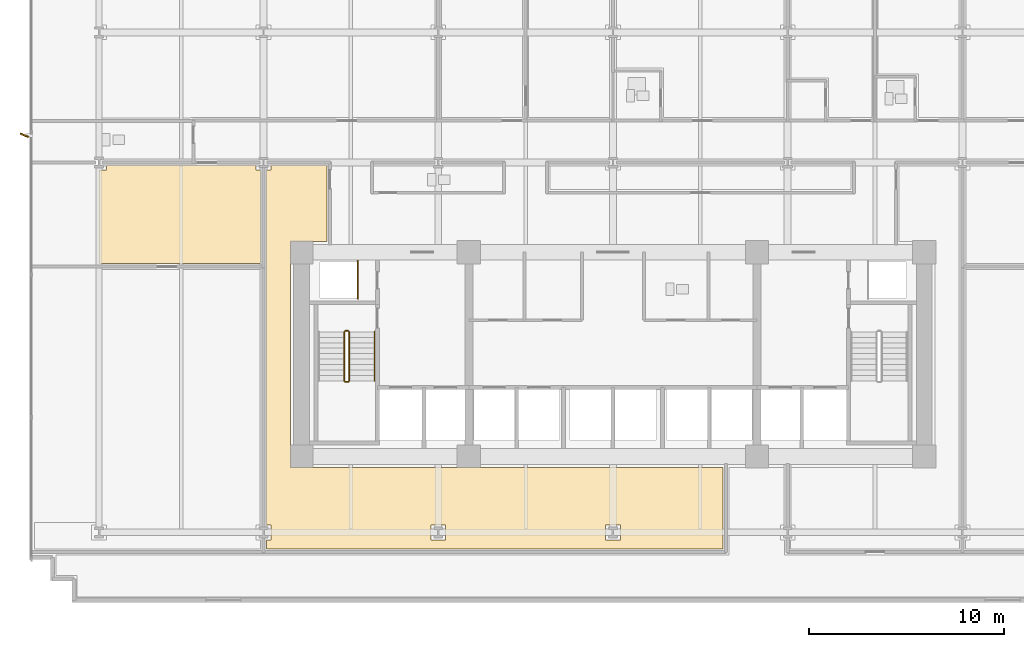
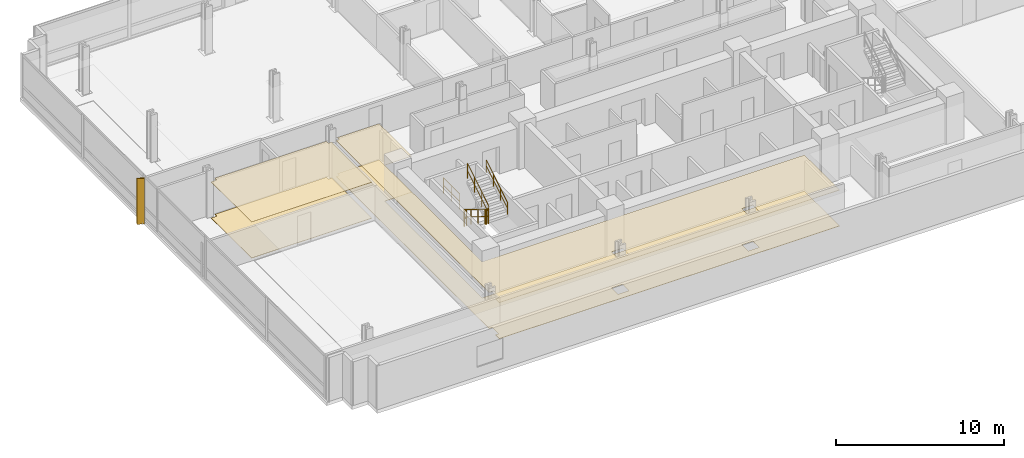
# One storey, part 13 of 17: 6 railings, 4 coverings, 1 shading device.
"""IFC4 building model written with IfcOpenShell, lengths in metres."""

from ifc_helpers import new_model, si_unit, direction, frame, origin, origin_2d, place, context, subcontext, project, spatial, polyline, rectangle, circle, outline, extrude, material, layer, layer_set, type_object, element, save


model = new_model("IFC4")

# Units and contexts
model_context = context("Model", 3, precision=1e-05, world=origin(), true_north=direction((0.0, 1.0)))
body_context = subcontext(model_context, "Body", "Model", "MODEL_VIEW")
ifc_project = project(units=[si_unit("LENGTHUNIT", "METRE"), si_unit("AREAUNIT", "SQUARE_METRE"), si_unit("VOLUMEUNIT", "CUBIC_METRE"), si_unit("PLANEANGLEUNIT", "RADIAN"), si_unit("MASSUNIT", "GRAM", prefix="KILO")], contexts=[model_context])

# Site, building, storey
site_placement = place(None, origin())
site = spatial("IfcSite", under=ifc_project, at=site_placement, CompositionType="ELEMENT")
building_placement = place(site_placement, origin())
building = spatial("IfcBuilding", under=site, at=building_placement, Name="Solmavex Isthmus Hotel", CompositionType="ELEMENT")
storey_placement = place(building_placement, frame((0.0, 0.0, 40.199951171875)))
storey = spatial("IfcBuildingStorey", under=building, at=storey_placement, Name="L10", CompositionType="ELEMENT", Elevation=40.199951171875)

# Coverings
ifc_material_1 = material(Name="Gypsum plasterboard lining", Category="gypsum")
ifc_layer_1 = layer(ifc_material_1, 0.030029296875)
ifc_layer_set_1 = layer_set([ifc_layer_1], Name="Gypsum plasterboard lining")
covering_type_1 = type_object("IfcCoveringType", Name="COV-CEIL-GYP", PredefinedType="CEILING", material=ifc_layer_set_1)
covering_1_placement = place(storey_placement, frame((0.0, 0.0, 2.6201171875)))
element("IfcCovering", 1, at=covering_1_placement, inside=storey, type_object=covering_type_1, Name="Suspended Acoustic Ceiling L10-FL11", PredefinedType="CEILING", context=body_context, shape_type="SweptSolid", body=[
    extrude(outline(polyline([(-26.02001953125, 1.945068359375), (-26.02001953125, 1.719970703125), (-26.39990234375, 1.719970703125), (-26.39990234375, -3.094970703125), (-18.10693359375, -3.094970703125), (-18.10693359375, 1.719970703125), (-18.33203125, 1.719970703125), (-18.33203125, 1.945068359375), (-26.02001953125, 1.945068359375)])), origin(), (0.0, 0.0, 1.0), 0.030029296875),
])
covering_2_placement = place(storey_placement, frame((0.0, 0.0, 2.6201171875)))
element("IfcCovering", 2, at=covering_2_placement, inside=storey, type_object=covering_type_1, Name="Suspended Acoustic Ceiling L10-FL14", PredefinedType="CEILING", context=body_context, shape_type="SweptSolid", body=[
    extrude(outline(polyline([(-17.797119140625, -16.52001953125), (-17.572021484375, -16.52001953125), (-17.572021484375, -17.280029296875), (-17.797119140625, -17.280029296875), (-17.797119140625, -17.7451171875), (5.64501953125, -17.7451171875), (5.64501953125, -13.554931640625), (-16.554931640625, -13.554931640625), (-16.554931640625, -1.945068359375), (-14.698974609375, -1.945068359375), (-14.698974609375, 1.945068359375), (-17.572021484375, 1.945068359375), (-17.572021484375, 1.719970703125), (-17.797119140625, 1.719970703125), (-17.797119140625, -16.52001953125)]), holes=[polyline([(-0.3798828125, -17.280029296875), (-0.3798828125, -16.52001953125), (0.3798828125, -16.52001953125), (0.3798828125, -17.280029296875), (-0.3798828125, -17.280029296875)]), polyline([(-9.35595703125, -17.280029296875), (-9.35595703125, -16.52001953125), (-8.595947265625, -16.52001953125), (-8.595947265625, -17.280029296875), (-9.35595703125, -17.280029296875)])]), origin(), (0.0, 0.0, 1.0), 0.030029296875),
])
ifc_material_2 = material(Name="Travertine natural stone", Category="masonry")
ifc_layer_2 = layer(ifc_material_2, 0.02490234375)
ifc_layer_set_2 = layer_set([ifc_layer_2], Name="Travertine natural stone")
covering_type_2 = type_object("IfcCoveringType", Name="COV-FLOR-STN", PredefinedType="FLOORING", material=ifc_layer_set_2)
covering_3_placement = place(storey_placement, origin())
element("IfcCovering", 3, at=covering_3_placement, inside=storey, type_object=covering_type_2, Name="Stone and Timber Floor Finish L10-FL11", PredefinedType="FLOORING", context=body_context, shape_type="SweptSolid", body=[
    extrude(outline(polyline([(-26.02001953125, 1.945068359375), (-26.02001953125, 1.719970703125), (-26.39990234375, 1.719970703125), (-26.39990234375, -3.094970703125), (-18.10693359375, -3.094970703125), (-18.10693359375, 1.719970703125), (-18.33203125, 1.719970703125), (-18.33203125, 1.945068359375), (-26.02001953125, 1.945068359375)])), origin(), (0.0, 0.0, 1.0), 0.025146484375),
])
covering_4_placement = place(storey_placement, origin())
element("IfcCovering", 4, at=covering_4_placement, inside=storey, type_object=covering_type_2, Name="Stone and Timber Floor Finish L10-FL14", PredefinedType="FLOORING", context=body_context, shape_type="SweptSolid", body=[
    extrude(outline(polyline([(-17.797119140625, -16.52001953125), (-17.572021484375, -16.52001953125), (-17.572021484375, -17.280029296875), (-17.797119140625, -17.280029296875), (-17.797119140625, -17.7451171875), (5.64501953125, -17.7451171875), (5.64501953125, -13.554931640625), (-16.554931640625, -13.554931640625), (-16.554931640625, -1.945068359375), (-14.698974609375, -1.945068359375), (-14.698974609375, 1.945068359375), (-17.572021484375, 1.945068359375), (-17.572021484375, 1.719970703125), (-17.797119140625, 1.719970703125), (-17.797119140625, -16.52001953125)]), holes=[polyline([(-0.3798828125, -17.280029296875), (-0.3798828125, -16.52001953125), (0.3798828125, -16.52001953125), (0.3798828125, -17.280029296875), (-0.3798828125, -17.280029296875)]), polyline([(-9.35595703125, -17.280029296875), (-9.35595703125, -16.52001953125), (-8.595947265625, -16.52001953125), (-8.595947265625, -17.280029296875), (-9.35595703125, -17.280029296875)])]), origin(), (0.0, 0.0, 1.0), 0.025146484375),
])

# Railings
ifc_material_3 = material(Name="Clear low-E laminated glass", Category="glass")
ifc_layer_3 = layer(ifc_material_3, 0.080078125)
ifc_layer_set_3 = layer_set([ifc_layer_3], Name="Clear low-E laminated glass")
railing_type_1 = type_object("IfcRailingType", Name="RAIL-ATRIUM-1120", PredefinedType="BALUSTRADE", material=ifc_layer_set_3)
railing_1_placement = place(storey_placement, frame((-13.10009765625, -4.89990234375, 0.0)))
element("IfcRailing", 5, at=railing_1_placement, inside=storey, type_object=railing_type_1, Name="Guardrail Balustrade L10-RSW-01", PredefinedType="BALUSTRADE", context=body_context, shape_type="SweptSolid", body=[
    extrude(circle(Radius=0.02392578125, at=origin_2d()), frame((0.0, 0.0, 1.1259765625), z_axis=(0.0, 1.0, 0.0), x_axis=(-1.0, 0.0, 0.0)), (0.0, 0.0, 1.0), 1.949951171875),
    extrude(circle(Radius=0.02392578125, at=origin_2d()), frame((0.0, 0.0, 0.574951171875), z_axis=(0.0, 1.0, 0.0), x_axis=(-1.0, 0.0, 0.0)), (0.0, 0.0, 1.0), 1.949951171875),
    extrude(circle(Radius=0.02099609375, at=origin_2d()), origin(), (0.0, 0.0, 1.0), 1.101806640625),
    extrude(circle(Radius=0.02099609375, at=origin_2d()), frame((0.0, 0.97509765625, 0.0)), (0.0, 0.0, 1.0), 1.101806640625),
    extrude(circle(Radius=0.02099609375, at=origin_2d()), frame((0.0, 1.949951171875, 0.0)), (0.0, 0.0, 1.0), 1.101806640625),
])
ifc_material_4 = material(Name="Stainless steel 316", Category="steel")
ifc_layer_4 = layer(ifc_material_4, 0.06005859375)
ifc_layer_set_4 = layer_set([ifc_layer_4], Name="Stainless steel 316")
railing_type_2 = type_object("IfcRailingType", Name="RAIL-STAIR-GD", PredefinedType="GUARDRAIL", material=ifc_layer_set_4)
railing_2_placement = place(storey_placement, frame((-13.800048828125, -6.60009765625, 0.172607421875)))
element("IfcRailing", 6, at=railing_2_placement, inside=storey, type_object=railing_type_2, Name="L10 ST-1 stair guard 1", PredefinedType="GUARDRAIL", context=body_context, shape_type="SweptSolid", body=[
    extrude(circle(Radius=0.02392578125, at=origin_2d()), frame((0.0, 0.0, 1.09619140625), z_axis=(0.0, -0.851400495292, 0.524516154772), x_axis=(1.0, 0.0, 0.0)), (0.0, 0.0, 1.0), 2.9599609375),
    extrude(circle(Radius=0.02392578125, at=origin_2d()), frame((0.0, 0.0, 0.56005859375), z_axis=(0.0, -0.851400495292, 0.524516154772), x_axis=(1.0, 0.0, 0.0)), (0.0, 0.0, 1.0), 2.9599609375),
    extrude(circle(Radius=0.02099609375, at=origin_2d()), origin(), (0.0, 0.0, 1.0), 1.072021484375),
    extrude(circle(Radius=0.02099609375, at=origin_2d()), frame((0.0, -0.840087890625, 0.517578125)), (0.0, 0.0, 1.0), 1.072021484375),
    extrude(circle(Radius=0.02099609375, at=origin_2d()), frame((0.0, -1.679931640625, 1.034912109375)), (0.0, 0.0, 1.0), 1.072021484375),
    extrude(circle(Radius=0.02099609375, at=origin_2d()), frame((0.0, -2.52001953125, 1.552490234375)), (0.0, 0.0, 1.0), 1.072021484375),
])
railing_3_placement = place(storey_placement, frame((-13.75, -9.169921875, 1.72509765625)))
element("IfcRailing", 7, at=railing_3_placement, inside=storey, type_object=railing_type_2, Name="L10 ST-1 stair guard 2", PredefinedType="GUARDRAIL", context=body_context, shape_type="SweptSolid", body=[
    extrude(circle(Radius=0.02392578125, at=origin_2d()), frame((0.0, 0.0, 1.09619140625), z_axis=(1.0, 0.0, 0.0), x_axis=(0.0, 1.0, 0.0)), (0.0, 0.0, 1.0), 0.14990234375),
    extrude(circle(Radius=0.02392578125, at=origin_2d()), frame((0.0, 0.0, 0.56005859375), z_axis=(1.0, 0.0, 0.0), x_axis=(0.0, 1.0, 0.0)), (0.0, 0.0, 1.0), 0.14990234375),
    extrude(circle(Radius=0.02099609375, at=origin_2d()), origin(), (0.0, 0.0, 1.0), 1.072021484375),
    extrude(circle(Radius=0.02099609375, at=origin_2d()), frame((0.14990234375, 0.0, 0.0)), (0.0, 0.0, 1.0), 1.072021484375),
])
railing_4_placement = place(storey_placement, frame((-13.550048828125, -9.1201171875, 1.8974609375)))
element("IfcRailing", 8, at=railing_4_placement, inside=storey, type_object=railing_type_2, Name="L10 ST-1 stair guard 3", PredefinedType="GUARDRAIL", context=body_context, shape_type="SweptSolid", body=[
    extrude(circle(Radius=0.02392578125, at=origin_2d()), frame((0.0, 0.0, 1.09619140625), z_axis=(0.0, 0.851400495292, 0.524516154772), x_axis=(-1.0, 0.0, 0.0)), (0.0, 0.0, 1.0), 2.9599609375),
    extrude(circle(Radius=0.02392578125, at=origin_2d()), frame((0.0, 0.0, 0.56005859375), z_axis=(0.0, 0.851400495292, 0.524516154772), x_axis=(-1.0, 0.0, 0.0)), (0.0, 0.0, 1.0), 2.9599609375),
    extrude(circle(Radius=0.02099609375, at=origin_2d()), origin(), (0.0, 0.0, 1.0), 1.072021484375),
    extrude(circle(Radius=0.02099609375, at=origin_2d()), frame((0.0, 0.840087890625, 0.517578125)), (0.0, 0.0, 1.0), 1.072021484375),
    extrude(circle(Radius=0.02099609375, at=origin_2d()), frame((0.0, 1.679931640625, 1.034912109375)), (0.0, 0.0, 1.0), 1.072021484375),
    extrude(circle(Radius=0.02099609375, at=origin_2d()), frame((0.0, 2.52001953125, 1.552490234375)), (0.0, 0.0, 1.0), 1.072021484375),
])
railing_5_placement = place(storey_placement, frame((-13.75, -6.550048828125, 0.0)))
element("IfcRailing", 9, at=railing_5_placement, inside=storey, type_object=railing_type_2, Name="L10 ST-1 stair guard 4", PredefinedType="GUARDRAIL", context=body_context, shape_type="SweptSolid", body=[
    extrude(circle(Radius=0.02392578125, at=origin_2d()), frame((0.0, 0.0, 1.09619140625), z_axis=(1.0, 0.0, 0.0), x_axis=(0.0, 1.0, 0.0)), (0.0, 0.0, 1.0), 0.14990234375),
    extrude(circle(Radius=0.02392578125, at=origin_2d()), frame((0.0, 0.0, 0.56005859375), z_axis=(1.0, 0.0, 0.0), x_axis=(0.0, 1.0, 0.0)), (0.0, 0.0, 1.0), 0.14990234375),
    extrude(circle(Radius=0.02099609375, at=origin_2d()), origin(), (0.0, 0.0, 1.0), 1.072021484375),
    extrude(circle(Radius=0.02099609375, at=origin_2d()), frame((0.14990234375, 0.0, 0.0)), (0.0, 0.0, 1.0), 1.072021484375),
])
ifc_layer_5 = layer(ifc_material_4, 0.050048828125)
ifc_layer_set_5 = layer_set([ifc_layer_5], Name="Stainless steel 316")
railing_type_3 = type_object("IfcRailingType", Name="RAIL-STAIR-HR", PredefinedType="HANDRAIL", material=ifc_layer_set_5)
railing_6_placement = place(storey_placement, frame((-12.25, -9.1201171875, 1.8974609375)))
element("IfcRailing", 10, at=railing_6_placement, inside=storey, type_object=railing_type_3, Name="L10 ST-1 stair handrail 2", PredefinedType="HANDRAIL", context=body_context, shape_type="SweptSolid", body=[
    extrude(circle(Radius=0.02392578125, at=origin_2d()), frame((0.0, 0.0, 0.8759765625), z_axis=(0.0, 0.851400495292, 0.524516154772), x_axis=(-1.0, 0.0, 0.0)), (0.0, 0.0, 1.0), 2.9599609375),
    extrude(circle(Radius=0.02392578125, at=origin_2d()), frame((0.0, 0.0, 0.449951171875), z_axis=(0.0, 0.851400495292, 0.524516154772), x_axis=(-1.0, 0.0, 0.0)), (0.0, 0.0, 1.0), 2.9599609375),
    extrude(circle(Radius=0.02099609375, at=origin_2d()), origin(), (0.0, 0.0, 1.0), 0.851806640625),
    extrude(circle(Radius=0.02099609375, at=origin_2d()), frame((0.0, 0.840087890625, 0.517578125)), (0.0, 0.0, 1.0), 0.851806640625),
    extrude(circle(Radius=0.02099609375, at=origin_2d()), frame((0.0, 1.679931640625, 1.034912109375)), (0.0, 0.0, 1.0), 0.851806640625),
    extrude(circle(Radius=0.02099609375, at=origin_2d()), frame((0.0, 2.52001953125, 1.552490234375)), (0.0, 0.0, 1.0), 0.851806640625),
])

# Shading device
ifc_material_5 = material(Name="Aluminium alloy 6063-T6", Category="aluminium")
shading_device_type = type_object("IfcShadingDeviceType", Name="SHD-FIN-BRONZE", PredefinedType="USERDEFINED", material=ifc_material_5)
shading_device_placement = place(storey_placement, frame((-30.239990234375, 3.5, -0.139892578125), z_axis=(0.0, 0.0, 1.0), x_axis=(-0.913545457643, 0.406736643076, 0.0)))
element("IfcShadingDevice", 11, at=shading_device_placement, inside=storey, type_object=shading_device_type, Name="Anodised Aluminium Solar Fin L10-W1", ObjectType="SOLAR_FIN", PredefinedType="USERDEFINED", context=body_context, shape_type="SweptSolid", body=[
    extrude(rectangle(XDim=0.449951171875, YDim=0.080078125, at=origin_2d()), origin(), (0.0, 0.0, 1.0), 3.330078125),
])

save(model, "model.ifc")
